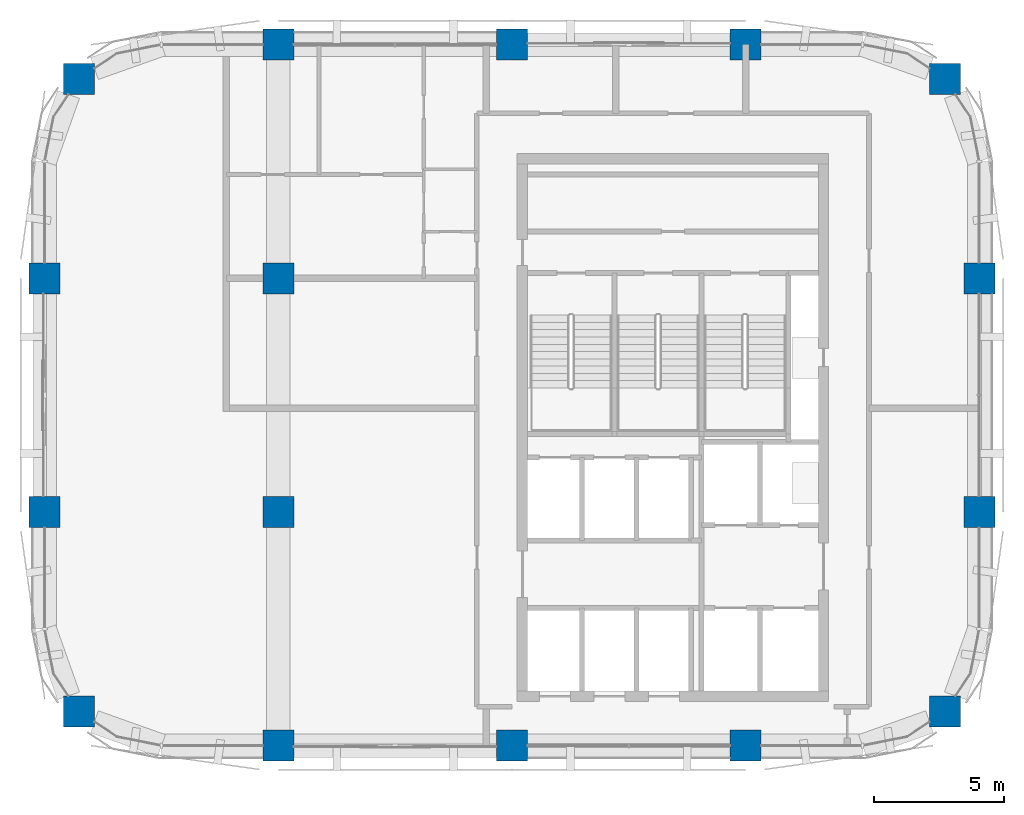
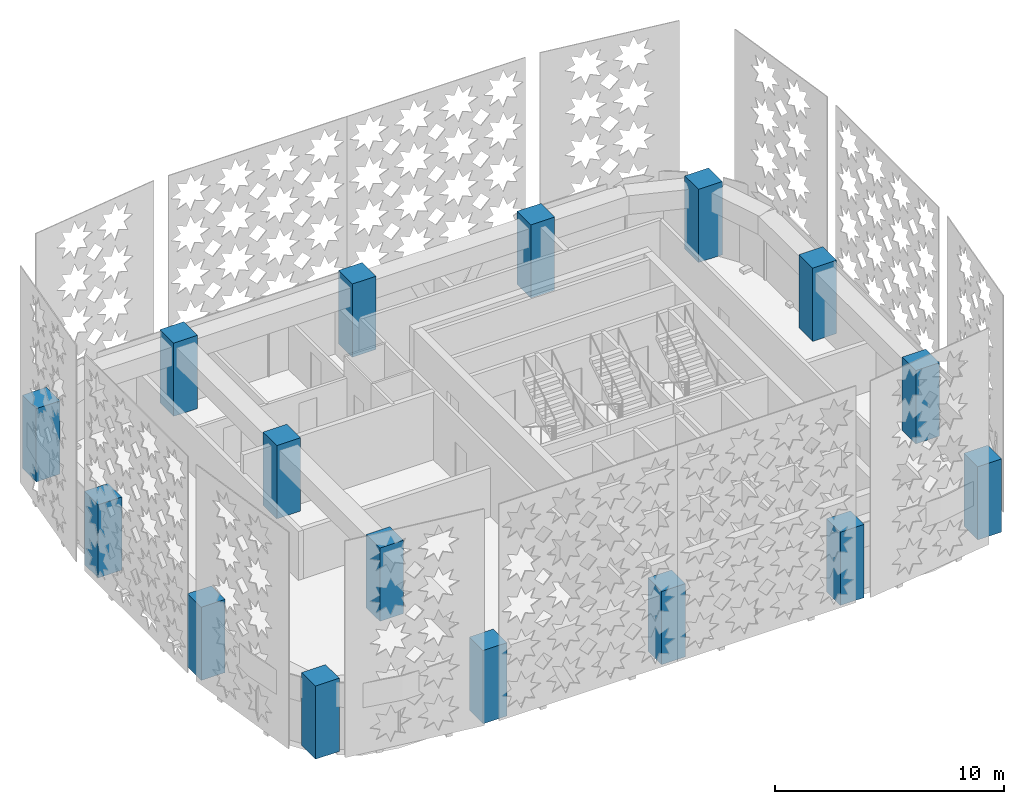
# One storey, part 1 of 15: 16 columns.
"""IFC4 building model written with IfcOpenShell, lengths in metres."""

import ifcopenshell
import ifcopenshell.guid

model = None  # the IFC model being written
_history = None  # IfcOwnerHistory: only IFC2X3 demands one
_inside = {}  # id of a spatial element -> (the spatial element, [elements in it])
_under = {}  # id of a project, library or spatial element -> (it, [spatial elements below it])
_declared = {}  # id of a project -> (the project, [libraries it declares])
_typed = {}  # id of a type object -> (the type object, [elements of that type])
_made_of = {}  # id of a material, layer set ... -> (it, [elements and type objects made of it])


def new_model(schema):
    """Start an empty IFC model of exactly this schema.

    Asked for "IFC4X3", IfcOpenShell would pick the latest addendum, in which some entities
    have other attributes; the version numbers below select the first issue.
    IFC2X3 requires an IfcOwnerHistory on every rooted entity: one is made here for all.
    """
    global model, _history
    if schema == "IFC4X3":
        model = ifcopenshell.file(schema_version=(4, 3, 0, 0))
    else:
        model = ifcopenshell.file(schema=schema)
    _inside.clear()
    _under.clear()
    _declared.clear()
    _typed.clear()
    _made_of.clear()
    _history = None
    if model.schema == "IFC2X3":
        org = make("IfcOrganization", Name="unknown")
        user = make(
            "IfcPersonAndOrganization",
            ThePerson=make("IfcPerson", FamilyName="unknown"),
            TheOrganization=org,
        )
        app = make(
            "IfcApplication",
            ApplicationDeveloper=org,
            Version="unknown",
            ApplicationFullName="unknown",
            ApplicationIdentifier="unknown",
        )
        _history = make(
            "IfcOwnerHistory",
            OwningUser=user,
            OwningApplication=app,
            ChangeAction="ADDED",
            CreationDate=0,
        )
    return model


def make(cls, **values):
    """One entity of the class cls with the attributes given. An attribute that is None is left unset."""
    return model.create_entity(
        cls, **{name: value for name, value in values.items() if value is not None}
    )


def rooted(cls, **values):
    """An entity with a GlobalId (a new one), such as an element, a storey or a relation."""
    return make(cls, GlobalId=ifcopenshell.guid.new(), OwnerHistory=_history, **values)


def si_unit(unit_type, name, prefix=None):
    """IfcSIUnit, for example si_unit("LENGTHUNIT", "METRE", prefix="MILLI")."""
    return make("IfcSIUnit", UnitType=unit_type, Prefix=prefix, Name=name)


def assignment(units):
    """IfcUnitAssignment: the units of a project."""
    return None if units is None else make("IfcUnitAssignment", Units=units)


def point(xyz):
    """IfcCartesianPoint."""
    return None if xyz is None else make("IfcCartesianPoint", Coordinates=xyz)


def direction(xyz):
    """IfcDirection."""
    return None if xyz is None else make("IfcDirection", DirectionRatios=xyz)


def frame(location, z_axis=None, x_axis=None):
    """IfcAxis2Placement3D, a coordinate frame: its origin and axes. An axis left out is left unset."""
    return make(
        "IfcAxis2Placement3D",
        Location=point(location),
        Axis=direction(z_axis),
        RefDirection=direction(x_axis),
    )


def frame_2d(location, x_axis=None):
    """IfcAxis2Placement2D, a coordinate frame in the plane: its origin and x axis."""
    return make(
        "IfcAxis2Placement2D", Location=point(location), RefDirection=direction(x_axis)
    )


def origin():
    """The frame at (0, 0, 0) with its axes left unset."""
    return frame((0.0, 0.0, 0.0))


def origin_2d():
    """The frame at (0, 0) in the plane with its x axis left unset."""
    return frame_2d((0.0, 0.0))


def place(relative_to, where):
    """IfcLocalPlacement: puts the frame where relative to a parent placement (None: the world)."""
    return make(
        "IfcLocalPlacement", PlacementRelTo=relative_to, RelativePlacement=where
    )


def context(
    kind, dimensions, precision=None, world=None, true_north=None, identifier=None
):
    """IfcGeometricRepresentationContext, for example the 3D "Model" context."""
    return make(
        "IfcGeometricRepresentationContext",
        ContextIdentifier=identifier,
        ContextType=kind,
        CoordinateSpaceDimension=dimensions,
        Precision=precision,
        WorldCoordinateSystem=world,
        TrueNorth=true_north,
    )


def subcontext(parent, identifier, kind, view, scale=None):
    """IfcGeometricRepresentationSubContext, for example "Body" below "Model"."""
    return make(
        "IfcGeometricRepresentationSubContext",
        ContextIdentifier=identifier,
        ContextType=kind,
        ParentContext=parent,
        TargetScale=scale,
        TargetView=view,
    )


def project(units=None, contexts=None):
    """IfcProject with its units and contexts."""
    return rooted(
        "IfcProject",
        Name="project",
        RepresentationContexts=contexts,
        UnitsInContext=assignment(units),
    )


def spatial(cls, under=None, at=None, **own):
    """A site, building, storey or space (cls), placed at a placement, below another one or the project."""
    s = rooted(cls, ObjectPlacement=at, **own)
    if under is not None:
        _under.setdefault(under.id(), (under, []))[1].append(s)
    return s


def profile(cls, at=None, kind="AREA", **sizes):
    """A parametric profile (cls). Its sizes go by their IFC names, for example OverallWidth=200.0."""
    return make(cls, ProfileType=kind, Position=at, **sizes)


def rectangle(**sizes):
    """IfcRectangleProfileDef."""
    return profile("IfcRectangleProfileDef", **sizes)


def extrude(swept, where, along, depth):
    """IfcExtrudedAreaSolid: the profile swept, set in the frame where, extruded along a direction by depth."""
    return make(
        "IfcExtrudedAreaSolid",
        SweptArea=swept,
        Position=where,
        ExtrudedDirection=direction(along),
        Depth=depth,
    )


def shape(context_of_items, identifier, shape_type, items):
    """IfcShapeRepresentation: the items that make up one representation, for example the "Body"."""
    return make(
        "IfcShapeRepresentation",
        ContextOfItems=context_of_items,
        RepresentationIdentifier=identifier,
        RepresentationType=shape_type,
        Items=items,
    )


def material(Name=None, Category=None):
    """IfcMaterial."""
    return make("IfcMaterial", Name=Name, Category=Category)


def material_profile(
    of_material, cross_section, Name=None, Category=None, Priority=None
):
    """IfcMaterialProfile: a cross section and its material."""
    return make(
        "IfcMaterialProfile",
        Name=Name,
        Material=of_material,
        Profile=cross_section,
        Priority=Priority,
        Category=Category,
    )


def profile_set(profiles, Name=None, composite=None):
    """IfcMaterialProfileSet."""
    return make(
        "IfcMaterialProfileSet",
        Name=Name,
        MaterialProfiles=profiles,
        CompositeProfile=composite,
    )


def made_of(thing, what):
    """Note that an element or type object is made of a material, layer set ...; save() writes the relation."""
    if what is not None:
        _made_of.setdefault(what.id(), (what, []))[1].append(thing)
    return thing


def type_object(cls, material=None, **own):
    """A type object (cls), such as IfcWallType, which elements share."""
    return made_of(rooted(cls, **own), material)


def element(
    cls,
    number,
    at=None,
    inside=None,
    cuts=None,
    type_object=None,
    material=None,
    context=None,
    identifier="Body",
    shape_type=None,
    held_by="IfcProductDefinitionShape",
    body=None,
    shapes=None,
    **own,
):
    """One element of the class cls, such as IfcWall. Its Tag is "e" and its number.

    at: its placement. inside: the storey or other place that contains it. cuts: it is an
    opening in that element (IfcRelVoidsElement). A single representation is given by context,
    identifier, shape_type and body (its items); several are given by shapes. held_by: the class
    of the entity that holds the representations. save() writes the other relations.
    """
    e = rooted(cls, Tag="e%d" % number, ObjectPlacement=at, **own)
    if body is not None:
        shapes = [shape(context, identifier, shape_type, body)]
    if shapes is not None:
        e.Representation = make(held_by, Representations=shapes)
    if inside is not None:
        _inside.setdefault(inside.id(), (inside, []))[1].append(e)
    if cuts is not None:
        rooted(
            "IfcRelVoidsElement", RelatingBuildingElement=cuts, RelatedOpeningElement=e
        )
    if type_object is not None:
        _typed.setdefault(type_object.id(), (type_object, []))[1].append(e)
    return made_of(e, material)


def aggregate(whole, parts):
    """IfcRelAggregates: a whole, such as a stair, and the parts it consists of."""
    return rooted("IfcRelAggregates", RelatingObject=whole, RelatedObjects=parts)


def save(model, path):
    """Write the relations noted so far, then the file.

    IfcRelAggregates (storeys below a building ...), IfcRelContainedInSpatialStructure (elements
    in a storey), IfcRelDefinesByType, IfcRelAssociatesMaterial and IfcRelDeclares: one each for
    every whole, place, type object, material and project.
    """
    for whole, parts in _under.values():
        aggregate(whole, parts)
    for where, things in _inside.values():
        rooted(
            "IfcRelContainedInSpatialStructure",
            RelatedElements=things,
            RelatingStructure=where,
        )
    for kind, things in _typed.values():
        rooted("IfcRelDefinesByType", RelatedObjects=things, RelatingType=kind)
    for what, things in _made_of.values():
        rooted("IfcRelAssociatesMaterial", RelatedObjects=things, RelatingMaterial=what)
    for by, libraries in _declared.values():
        rooted("IfcRelDeclares", RelatingContext=by, RelatedDefinitions=libraries)
    model.write(path)


model = new_model("IFC4")

# Units and contexts
model_context = context("Model", 3, precision=1e-05, world=origin(), true_north=direction((0.0, 1.0)))
body_context = subcontext(model_context, "Body", "Model", "MODEL_VIEW")
ifc_project = project(units=[si_unit("LENGTHUNIT", "METRE"), si_unit("AREAUNIT", "SQUARE_METRE"), si_unit("VOLUMEUNIT", "CUBIC_METRE"), si_unit("PLANEANGLEUNIT", "RADIAN"), si_unit("MASSUNIT", "GRAM", prefix="KILO")], contexts=[model_context])

# Site, building, storey
site_placement = place(None, origin())
site = spatial("IfcSite", under=ifc_project, at=site_placement, CompositionType="ELEMENT")
building_placement = place(site_placement, origin())
building = spatial("IfcBuilding", under=site, at=building_placement, Name="Tessera Arch", CompositionType="ELEMENT")
storey_placement = place(building_placement, frame((0.0, 0.0, 257.89990234375)))
storey = spatial("IfcBuildingStorey", under=building, at=storey_placement, Name="L62", CompositionType="ELEMENT", Elevation=257.89990234375)

# Columns
ifc_material = material(Name="Concrete C60/75", Category="concrete")
ifc_material_profile = material_profile(ifc_material, rectangle(XDim=1.199951171875, YDim=1.199951171875, at=origin_2d()), Name="RC column 1200 x 1200 Concrete C60/75")
ifc_profile_set = profile_set([ifc_material_profile], Name="Concrete C60/75")
column_type = type_object("IfcColumnType", Name="RC column 1200 x 1200 Concrete C60/75", PredefinedType="COLUMN", material=ifc_profile_set)
for number, where, z_axis, x_axis, name in (
    (1, (19.318115234375, 28.318115234375, 0.0), (0.0, 0.0, 1.0), (1.0, 0.0, 0.0), "Column C3D L62"),
    (2, (18.0, 36.0, 0.0), (0.0, 0.0, 1.0), (1.0, 0.0, 0.0), "Column C3E L62"),
    (3, (18.0, 45.0, 0.0), (0.0, 0.0, 1.0), (1.0, 0.0, 0.0), "Column C3F L62"),
    (4, (19.318115234375, 52.681884765625, 0.0), (0.0, 0.0, 1.0), (1.0, 0.0, 0.0), "Column C3G L62"),
    (5, (27.0, 27.0, 0.0), (0.0, 0.0, 1.0), (1.0, 0.0, 0.0), "Column C4D L62"),
    (6, (27.0, 36.0, 0.0), (0.0, 0.0, 1.0), (1.0, 0.0, 0.0), "Column C4E L62"),
    (7, (27.0, 45.0, 0.0), (0.0, 0.0, 1.0), (1.0, 0.0, 0.0), "Column C4F L62"),
    (8, (27.0, 54.0, 0.0), (0.0, 0.0, 1.0), (1.0, 0.0, 0.0), "Column C4G L62"),
    (9, (36.0, 27.0, 0.0), (0.0, 0.0, 1.0), (1.0, 0.0, 0.0), "Column C5D L62"),
    (10, (36.0, 54.0, 0.0), (0.0, 0.0, 1.0), (1.0, 0.0, 0.0), "Column C5G L62"),
    (11, (45.0, 27.0, 0.0), (0.0, 0.0, 1.0), (1.0, 0.0, 0.0), "Column C6D L62"),
    (12, (45.0, 54.0, 0.0), (0.0, 0.0, 1.0), (1.0, 0.0, 0.0), "Column C6G L62"),
    (13, (52.681884765625, 28.318115234375, 0.0), (0.0, 0.0, 1.0), (1.0, 0.0, 0.0), "Column C7D L62"),
    (14, (54.0, 36.0, 0.0), (0.0, 0.0, 1.0), (1.0, 0.0, 0.0), "Column C7E L62"),
    (15, (54.0, 45.0, 0.0), (0.0, 0.0, 1.0), (1.0, 0.0, 0.0), "Column C7F L62"),
    (16, (52.681884765625, 52.681884765625, 0.0), (0.0, 0.0, 1.0), (1.0, 0.0, 0.0), "Column C7G L62"),
):
    element("IfcColumn", number, at=place(storey_placement, frame(where, z_axis=z_axis, x_axis=x_axis)), inside=storey, type_object=column_type, Name=name, PredefinedType="COLUMN", context=body_context, shape_type="SweptSolid", body=[
        extrude(rectangle(XDim=1.199951171875, YDim=1.199951171875, at=origin_2d()), origin(), (0.0, 0.0, 1.0), 3.900146484375),
    ])

save(model, "model.ifc")
